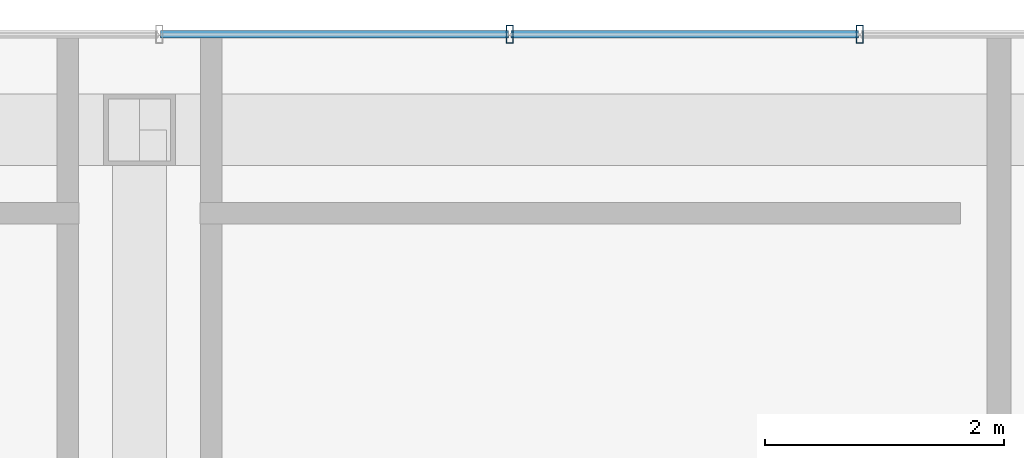
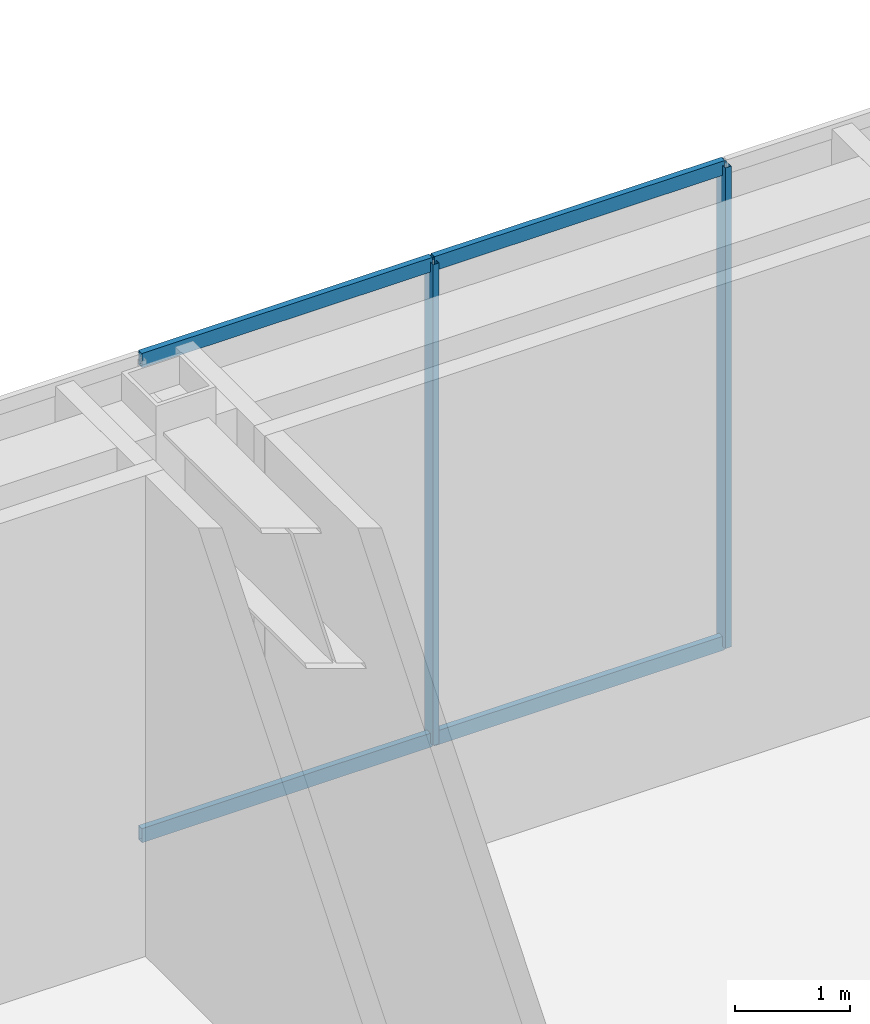
# One storey, part 3 of 9: 6 members, 1 element without a shape of its own.
"""IFC4 building model written with IfcOpenShell, lengths in metres."""

from ifc_helpers import new_model, si_unit, direction, frame, origin, origin_2d, place, context, subcontext, project, spatial, hollow_rectangle, extrude, material, material_profile, profile_set, type_object, element, aggregate, save


model = new_model("IFC4")

# Units and contexts
model_context = context("Model", 3, precision=1e-05, world=origin(), true_north=direction((0.0, 1.0)))
body_context = subcontext(model_context, "Body", "Model", "MODEL_VIEW")
ifc_project = project(units=[si_unit("LENGTHUNIT", "METRE"), si_unit("AREAUNIT", "SQUARE_METRE"), si_unit("VOLUMEUNIT", "CUBIC_METRE"), si_unit("PLANEANGLEUNIT", "RADIAN"), si_unit("MASSUNIT", "GRAM", prefix="KILO")], contexts=[model_context])

# Site, building, storey
site_placement = place(None, origin())
site = spatial("IfcSite", under=ifc_project, at=site_placement, CompositionType="ELEMENT")
building_placement = place(site_placement, origin())
building = spatial("IfcBuilding", under=site, at=building_placement, Name="Ventersveld Concourse Tower", CompositionType="ELEMENT")
storey_placement = place(building_placement, frame((0.0, 0.0, 377.449951171875)))
storey = spatial("IfcBuildingStorey", under=building, at=storey_placement, Name="L92", CompositionType="ELEMENT", Elevation=377.449951171875)

# Curtain wall, members
ifc_material = material(Name="Anodised aluminium EN AW-6063-T6", Category="aluminium")
curtain_wall_type = type_object("IfcCurtainWallType", Name="CW-CRN-6", PredefinedType="NOTDEFINED", material=ifc_material)
curtain_wall_placement = place(storey_placement, origin())
curtain_wall = element("IfcCurtainWall", 1, at=curtain_wall_placement, inside=storey, type_object=curtain_wall_type, Name="L92 L92 Crown North Glazed Curtain Wall", PredefinedType="NOTDEFINED")
ifc_material_profile_1 = material_profile(ifc_material, hollow_rectangle(XDim=0.06005859375, YDim=0.14990234375, WallThickness=0.00390625, at=origin_2d()), Name="ALU 150x60x4")
ifc_profile_set_1 = profile_set([ifc_material_profile_1], Name="Anodised aluminium EN AW-6063-T6")
member_type_1 = type_object("IfcMemberType", Name="CWM-150x65", PredefinedType="MULLION", material=ifc_profile_set_1)
member_1_placement = place(storey_placement, frame((27.283203125, 22.0, 0.0), z_axis=(0.0, 0.0, 1.0), x_axis=(1.0, 0.0, 0.0)))
member_1 = element("IfcMember", 2, at=member_1_placement, type_object=member_type_1, Name="CW-L92-N Mullion 06", PredefinedType="MULLION", context=body_context, shape_type="SweptSolid", body=[
    extrude(hollow_rectangle(XDim=0.06005859375, YDim=0.14990234375, WallThickness=0.00390625, at=origin_2d()), origin(), (0.0, 0.0, 1.0), 5.10009765625),
])
member_2_placement = place(storey_placement, frame((24.35009765625, 22.0, 0.0), z_axis=(0.0, 0.0, 1.0), x_axis=(1.0, 0.0, 0.0)))
member_2 = element("IfcMember", 3, at=member_2_placement, type_object=member_type_1, Name="CW-L92-N Mullion 07", PredefinedType="MULLION", context=body_context, shape_type="SweptSolid", body=[
    extrude(hollow_rectangle(XDim=0.06005859375, YDim=0.14990234375, WallThickness=0.00390625, at=origin_2d()), origin(), (0.0, 0.0, 1.0), 5.10009765625),
])
ifc_material_profile_2 = material_profile(ifc_material, hollow_rectangle(XDim=0.06005859375, YDim=0.14990234375, WallThickness=0.00390625, at=origin_2d()), Name="ALU 150x60x4")
ifc_profile_set_2 = profile_set([ifc_material_profile_2], Name="Anodised aluminium EN AW-6063-T6")
member_type_2 = type_object("IfcMemberType", Name="CWT-150x60", PredefinedType="USERDEFINED", material=ifc_profile_set_2)
member_3_placement = place(storey_placement, frame((27.273193359375, 22.0, 0.030029296875), z_axis=(-1.0, 0.0, 0.0), x_axis=(0.0, -1.0, 0.0)))
member_3 = element("IfcMember", 4, at=member_3_placement, type_object=member_type_2, Name="CW-L92-N Transom 1-06", ObjectType="TRANSOM", PredefinedType="USERDEFINED", context=body_context, shape_type="SweptSolid", body=[
    extrude(hollow_rectangle(XDim=0.06005859375, YDim=0.14990234375, WallThickness=0.00390625, at=origin_2d()), origin(), (0.0, 0.0, 1.0), 2.9130859375),
])
member_4_placement = place(storey_placement, frame((24.340087890625, 22.0, 0.030029296875), z_axis=(-1.0, 0.0, 0.0), x_axis=(0.0, -1.0, 0.0)))
member_4 = element("IfcMember", 5, at=member_4_placement, type_object=member_type_2, Name="CW-L92-N Transom 1-07", ObjectType="TRANSOM", PredefinedType="USERDEFINED", context=body_context, shape_type="SweptSolid", body=[
    extrude(hollow_rectangle(XDim=0.06005859375, YDim=0.14990234375, WallThickness=0.00390625, at=origin_2d()), origin(), (0.0, 0.0, 1.0), 2.913330078125),
])
member_5_placement = place(storey_placement, frame((27.273193359375, 22.0, 5.070068359375), z_axis=(-1.0, 0.0, 0.0), x_axis=(0.0, -1.0, 0.0)))
member_5 = element("IfcMember", 6, at=member_5_placement, type_object=member_type_2, Name="CW-L92-N Transom 2-06", ObjectType="TRANSOM", PredefinedType="USERDEFINED", context=body_context, shape_type="SweptSolid", body=[
    extrude(hollow_rectangle(XDim=0.06005859375, YDim=0.14990234375, WallThickness=0.00390625, at=origin_2d()), origin(), (0.0, 0.0, 1.0), 2.9130859375),
])
member_6_placement = place(storey_placement, frame((24.340087890625, 22.0, 5.070068359375), z_axis=(-1.0, 0.0, 0.0), x_axis=(0.0, -1.0, 0.0)))
member_6 = element("IfcMember", 7, at=member_6_placement, type_object=member_type_2, Name="CW-L92-N Transom 2-07", ObjectType="TRANSOM", PredefinedType="USERDEFINED", context=body_context, shape_type="SweptSolid", body=[
    extrude(hollow_rectangle(XDim=0.06005859375, YDim=0.14990234375, WallThickness=0.00390625, at=origin_2d()), origin(), (0.0, 0.0, 1.0), 2.913330078125),
])
aggregate(curtain_wall, [member_1, member_2, member_3, member_4, member_5, member_6])

save(model, "model.ifc")
